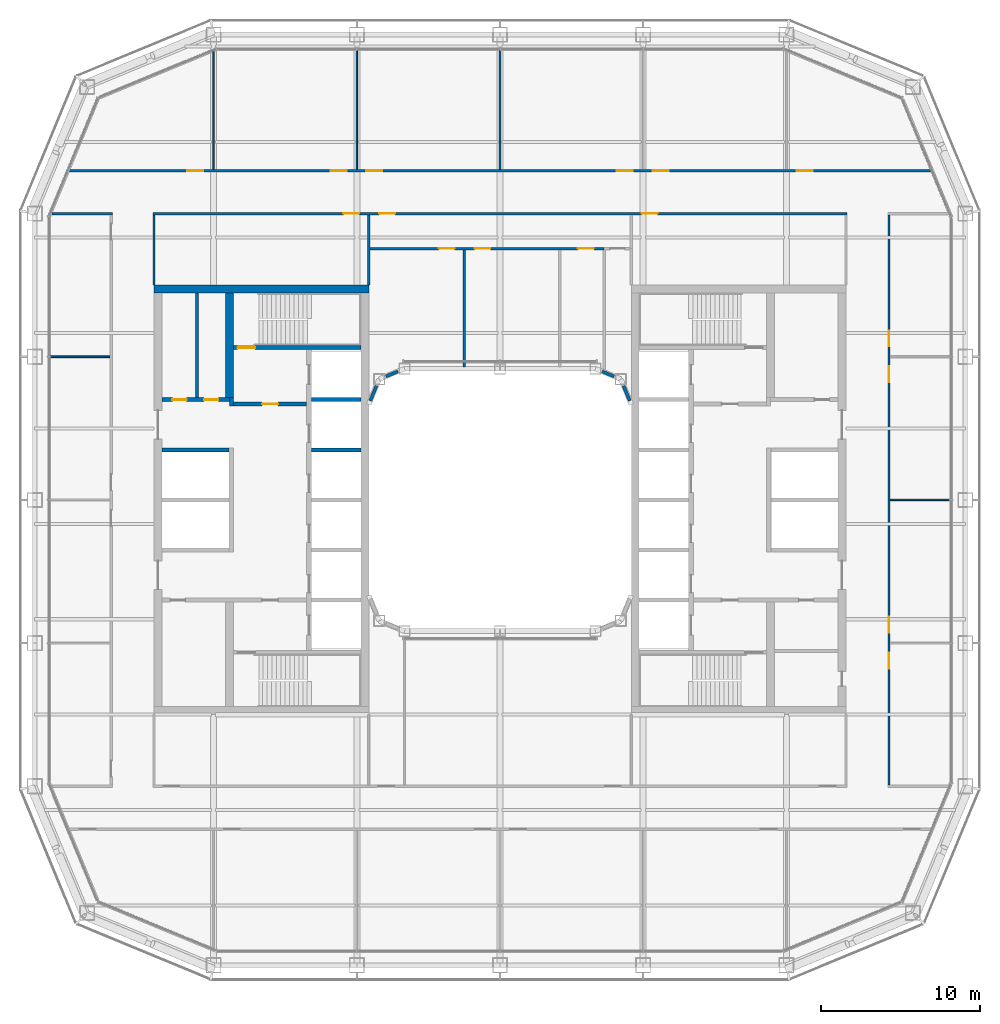
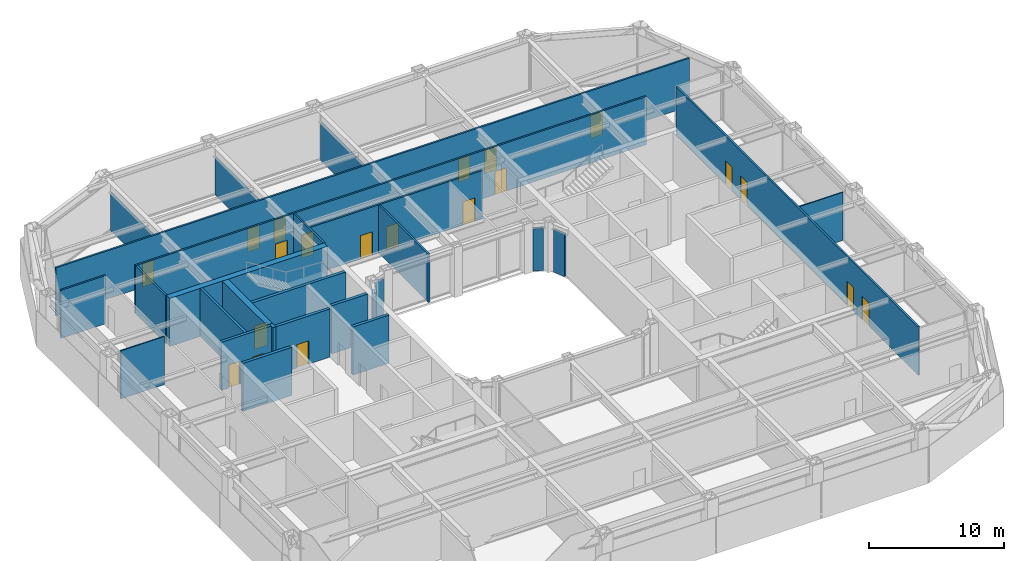
# One storey, part 13 of 21: 27 walls, 20 doors, 20 openings.
"""IFC4 building model written with IfcOpenShell, lengths in metres."""

from ifc_helpers import new_model, si_unit, direction, frame, frame_2d, origin, place, context, subcontext, project, spatial, rectangle, extrude, material, layer, layer_set, type_object, element, fill, save


model = new_model("IFC4")

# Units and contexts
model_context = context("Model", 3, precision=1e-05, world=origin(), true_north=direction((0.0, 1.0)))
body_context = subcontext(model_context, "Body", "Model", "MODEL_VIEW")
ifc_project = project(units=[si_unit("LENGTHUNIT", "METRE"), si_unit("AREAUNIT", "SQUARE_METRE"), si_unit("VOLUMEUNIT", "CUBIC_METRE"), si_unit("PLANEANGLEUNIT", "RADIAN"), si_unit("MASSUNIT", "GRAM", prefix="KILO")], contexts=[model_context])

# Site, building, storey
site_placement = place(None, origin())
site = spatial("IfcSite", under=ifc_project, at=site_placement, CompositionType="ELEMENT")
building_placement = place(site_placement, origin())
building = spatial("IfcBuilding", under=site, at=building_placement, Name="Siwar Civic Tower", CompositionType="ELEMENT")
storey_placement = place(building_placement, frame((0.0, 0.0, 122.699951171875)))
storey = spatial("IfcBuildingStorey", under=building, at=storey_placement, Name="L26", CompositionType="ELEMENT", Elevation=122.699951171875)

# Wall
ifc_material_1 = material(Name="Gypsum board on steel studs", Category="steel")
ifc_layer_1 = layer(ifc_material_1, 0.199951171875)
ifc_layer_set_1 = layer_set([ifc_layer_1], Name="Gypsum board on steel studs")
wall_type_1 = type_object("IfcWallType", Name="CORE-PARTITION-200", PredefinedType="PARTITIONING", material=ifc_layer_set_1)
wall_1_placement = place(storey_placement, frame((-19.050048828125, 6.425048828125, 0.0), z_axis=(0.0, 0.0, 1.0), x_axis=(0.0, 1.0, 0.0)))
element("IfcWall", 1, at=wall_1_placement, inside=storey, type_object=wall_type_1, Name="Core partition W", PredefinedType="PARTITIONING", context=body_context, shape_type="SweptSolid", body=[
    extrude(rectangle(XDim=6.574951171875, YDim=0.199951171875, at=frame_2d((3.28759765625, 0.0))), origin(), (0.0, 0.0, 1.0), 4.35009765625),
])

# Wall, opening, door
ifc_material_2 = material(Name="Concrete C60/75", Category="concrete")
ifc_layer_2 = layer(ifc_material_2, 0.25)
ifc_layer_set_2 = layer_set([ifc_layer_2], Name="Concrete C60/75")
wall_type_2 = type_object("IfcWallType", Name="CORE-WALL-RC250", PredefinedType="SHEAR", material=ifc_layer_set_2)
wall_2_placement = place(storey_placement, frame((-12.14990234375, 6.02490234375, 0.0), z_axis=(0.0, 0.0, 1.0), x_axis=(-1.0, 0.0, 0.0)))
wall_2 = element("IfcWall", 2, at=wall_2_placement, inside=storey, type_object=wall_type_2, Name="Core wall W", PredefinedType="SHEAR", context=body_context, shape_type="SweptSolid", body=[
    extrude(rectangle(XDim=4.60009765625, YDim=0.25, at=frame_2d((2.300048828125, 0.0))), origin(), (0.0, 0.0, 1.0), 4.35009765625),
])
opening_1_placement = place(wall_2_placement, frame((1.800048828125, 0.0, 0.0)))
opening_1 = element("IfcOpeningElement", 3, at=opening_1_placement, cuts=wall_2, Name="Opening L26-CW01", PredefinedType="OPENING", context=body_context, shape_type="SweptSolid", body=[
    extrude(rectangle(XDim=1.0, YDim=2.10009765625, at=frame_2d((0.5, 1.050048828125))), frame((0.0, 0.135009765625, 0.0), z_axis=(0.0, -1.0, 0.0), x_axis=(1.0, 0.0, 0.0)), (0.0, 0.0, 1.0), 0.27001953125),
])
ifc_material_3 = material(Name="Steel door leaf", Category="steel")
door_type_1 = type_object("IfcDoorType", Name="CORE-DOOR-FD30S", OperationType="SINGLE_SWING_LEFT", PredefinedType="DOOR", material=ifc_material_3)
door_1_placement = place(opening_1_placement, origin())
door_1 = element("IfcDoor", 4, at=door_1_placement, inside=storey, type_object=door_type_1, Name="Firefighting lobby door L26-CW01", OperationType="SINGLE_SWING_LEFT", OverallHeight=2.10009765625, OverallWidth=1.0, PredefinedType="DOOR", context=body_context, shape_type="SweptSolid", body=[
    extrude(rectangle(XDim=1.0, YDim=2.10009765625, at=frame_2d((0.5, 1.050048828125))), frame((0.0, 0.02490234375, 0.0), z_axis=(0.0, -1.0, 0.0), x_axis=(1.0, 0.0, 0.0)), (0.0, 0.0, 1.0), 0.050048828125),
])
fill(opening_1, door_1)

# Wall
wall_3_placement = place(storey_placement, frame((-16.875, 5.89990234375, 0.0), z_axis=(0.0, 0.0, 1.0), x_axis=(0.0, 1.0, 0.0)))
element("IfcWall", 5, at=wall_3_placement, inside=storey, type_object=wall_type_2, Name="Core wall W", PredefinedType="SHEAR", context=body_context, shape_type="SweptSolid", body=[
    extrude(rectangle(XDim=0.525146484375, YDim=0.25, at=frame_2d((0.2626953125, 0.0))), origin(), (0.0, 0.0, 1.0), 4.35009765625),
])

# Wall, openings, doors
wall_4_placement = place(storey_placement, frame((-17.0, 6.300048828125, 0.0), z_axis=(0.0, 0.0, 1.0), x_axis=(-1.0, 0.0, 0.0)))
wall_4 = element("IfcWall", 6, at=wall_4_placement, inside=storey, type_object=wall_type_2, Name="Core wall W", PredefinedType="SHEAR", context=body_context, shape_type="SweptSolid", body=[
    extrude(rectangle(XDim=4.25, YDim=0.25, at=frame_2d((2.125, 0.0))), origin(), (0.0, 0.0, 1.0), 4.35009765625),
])
opening_2_placement = place(wall_4_placement, frame((0.699951171875, 0.0, 0.0)))
opening_2 = element("IfcOpeningElement", 7, at=opening_2_placement, cuts=wall_4, Name="Opening L26-CW13", PredefinedType="OPENING", context=body_context, shape_type="SweptSolid", body=[
    extrude(rectangle(XDim=0.89990234375, YDim=2.10009765625, at=frame_2d((0.449951171875, 1.050048828125))), frame((0.0, 0.135009765625, 0.0), z_axis=(0.0, -1.0, 0.0), x_axis=(1.0, 0.0, 0.0)), (0.0, 0.0, 1.0), 0.27001953125),
])
opening_3_placement = place(wall_4_placement, frame((2.699951171875, 0.0, 0.0)))
opening_3 = element("IfcOpeningElement", 8, at=opening_3_placement, cuts=wall_4, Name="Opening L26-CW14", PredefinedType="OPENING", context=body_context, shape_type="SweptSolid", body=[
    extrude(rectangle(XDim=0.89990234375, YDim=2.10009765625, at=frame_2d((0.449951171875, 1.050048828125))), frame((0.0, 0.135009765625, 0.0), z_axis=(0.0, -1.0, 0.0), x_axis=(1.0, 0.0, 0.0)), (0.0, 0.0, 1.0), 0.27001953125),
])
ifc_material_4 = material(Name="Steel door leaf", Category="steel")
door_type_2 = type_object("IfcDoorType", Name="CORE-DOOR-ROOM", OperationType="SINGLE_SWING_LEFT", PredefinedType="DOOR", material=ifc_material_4)
door_2_placement = place(opening_2_placement, origin())
door_2 = element("IfcDoor", 9, at=door_2_placement, inside=storey, type_object=door_type_2, Name="Core room door L26-CW13", OperationType="SINGLE_SWING_RIGHT", OverallHeight=2.10009765625, OverallWidth=0.89990234375, PredefinedType="DOOR", context=body_context, shape_type="SweptSolid", body=[
    extrude(rectangle(XDim=0.89990234375, YDim=2.10009765625, at=frame_2d((0.449951171875, 1.050048828125))), frame((0.0, 0.02490234375, 0.0), z_axis=(0.0, -1.0, 0.0), x_axis=(1.0, 0.0, 0.0)), (0.0, 0.0, 1.0), 0.050048828125),
])
fill(opening_2, door_2)
door_3_placement = place(opening_3_placement, origin())
door_3 = element("IfcDoor", 10, at=door_3_placement, inside=storey, type_object=door_type_2, Name="Core room door L26-CW14", OperationType="SINGLE_SWING_LEFT", OverallHeight=2.10009765625, OverallWidth=0.89990234375, PredefinedType="DOOR", context=body_context, shape_type="SweptSolid", body=[
    extrude(rectangle(XDim=0.89990234375, YDim=2.10009765625, at=frame_2d((0.449951171875, 1.050048828125))), frame((0.0, 0.02490234375, 0.0), z_axis=(0.0, -1.0, 0.0), x_axis=(1.0, 0.0, 0.0)), (0.0, 0.0, 1.0), 0.050048828125),
])
fill(opening_3, door_3)

# Walls
wall_5_placement = place(storey_placement, frame((-17.050048828125, 3.14990234375, 0.0), z_axis=(0.0, 0.0, 1.0), x_axis=(-1.0, 0.0, 0.0)))
element("IfcWall", 11, at=wall_5_placement, inside=storey, type_object=wall_type_2, Name="Core wall W", PredefinedType="SHEAR", context=body_context, shape_type="SweptSolid", body=[
    extrude(rectangle(XDim=4.199951171875, YDim=0.25, at=frame_2d((2.10009765625, 0.0))), origin(), (0.0, 0.0, 1.0), 4.35009765625),
])
for number, where, z_axis, x_axis, name in (
    (12, (-8.75, 3.14990234375, 0.0), (0.0, 0.0, 1.0), (-1.0, 0.0, 0.0), "Core wall W"),
    (13, (-8.75, 6.300048828125, 0.0), (0.0, 0.0, 1.0), (-1.0, 0.0, 0.0), "Core wall W"),
):
    element("IfcWall", number, at=place(storey_placement, frame(where, z_axis=z_axis, x_axis=x_axis)), inside=storey, type_object=wall_type_2, Name=name, PredefinedType="SHEAR", context=body_context, shape_type="SweptSolid", body=[
        extrude(rectangle(XDim=3.10009765625, YDim=0.25, at=frame_2d((1.550048828125, 0.0))), origin(), (0.0, 0.0, 1.0), 4.35009765625),
    ])

# Wall, opening, door
wall_6_placement = place(storey_placement, frame((-8.75, 9.574951171875, 0.0), z_axis=(0.0, 0.0, 1.0), x_axis=(-1.0, 0.0, 0.0)))
wall_6 = element("IfcWall", 14, at=wall_6_placement, inside=storey, type_object=wall_type_2, Name="Core wall W", PredefinedType="SHEAR", context=body_context, shape_type="SweptSolid", body=[
    extrude(rectangle(XDim=8.0, YDim=0.25, at=frame_2d((4.0, 0.0))), origin(), (0.0, 0.0, 1.0), 4.35009765625),
])
opening_4_placement = place(wall_6_placement, frame((6.64990234375, 0.0, 0.0)))
opening_4 = element("IfcOpeningElement", 15, at=opening_4_placement, cuts=wall_6, Name="Opening L26-CW03", PredefinedType="OPENING", context=body_context, shape_type="SweptSolid", body=[
    extrude(rectangle(XDim=1.10009765625, YDim=2.10009765625, at=frame_2d((0.550048828125, 1.050048828125))), frame((0.0, 0.135009765625, 0.0), z_axis=(0.0, -1.0, 0.0), x_axis=(1.0, 0.0, 0.0)), (0.0, 0.0, 1.0), 0.27001953125),
])
ifc_material_5 = material(Name="Steel door leaf", Category="steel")
door_type_3 = type_object("IfcDoorType", Name="CORE-DOOR-FD60S", OperationType="SINGLE_SWING_LEFT", PredefinedType="DOOR", material=ifc_material_5)
door_4_placement = place(opening_4_placement, origin())
door_4 = element("IfcDoor", 16, at=door_4_placement, inside=storey, type_object=door_type_3, Name="Stair door L26-CW03", OperationType="SINGLE_SWING_RIGHT", OverallHeight=2.10009765625, OverallWidth=1.10009765625, PredefinedType="DOOR", context=body_context, shape_type="SweptSolid", body=[
    extrude(rectangle(XDim=1.10009765625, YDim=2.10009765625, at=frame_2d((0.550048828125, 1.050048828125))), frame((0.0, 0.02490234375, 0.0), z_axis=(0.0, -1.0, 0.0), x_axis=(1.0, 0.0, 0.0)), (0.0, 0.0, 1.0), 0.050048828125),
])
fill(opening_4, door_4)

# Walls
ifc_material_6 = material(Name="Concrete C60/75", Category="concrete")
ifc_layer_3 = layer(ifc_material_6, 0.5)
ifc_layer_set_3 = layer_set([ifc_layer_3], Name="Concrete C60/75")
wall_type_3 = type_object("IfcWallType", Name="CORE-WALL-RC500", PredefinedType="SHEAR", material=ifc_layer_set_3)
wall_7_placement = place(storey_placement, frame((-17.0, 6.425048828125, 0.0), z_axis=(0.0, 0.0, 1.0), x_axis=(0.0, 1.0, 0.0)))
element("IfcWall", 17, at=wall_7_placement, inside=storey, type_object=wall_type_3, Name="Core wall W", PredefinedType="SHEAR", context=body_context, shape_type="SweptSolid", body=[
    extrude(rectangle(XDim=6.574951171875, YDim=0.5, at=frame_2d((3.28759765625, 0.0))), origin(), (0.0, 0.0, 1.0), 4.35009765625),
])
wall_8_placement = place(storey_placement, frame((-8.25, 13.25, 0.0), z_axis=(0.0, 0.0, 1.0), x_axis=(-1.0, 0.0, 0.0)))
element("IfcWall", 18, at=wall_8_placement, inside=storey, type_object=wall_type_3, Name="Core wall W", PredefinedType="SHEAR", context=body_context, shape_type="SweptSolid", body=[
    extrude(rectangle(XDim=13.5, YDim=0.5, at=frame_2d((6.75, 0.0))), origin(), (0.0, 0.0, 1.0), 4.35009765625),
])

# Wall, openings, doors
ifc_material_7 = material(Name="Gypsum board on steel studs", Category="steel")
ifc_layer_4 = layer(ifc_material_7, 0.14990234375)
ifc_layer_set_4 = layer_set([ifc_layer_4], Name="Gypsum board on steel studs")
wall_type_4 = type_object("IfcWallType", Name="CORRIDOR PARTITION 150 EI 30", PredefinedType="PARTITIONING", material=ifc_layer_set_4)
wall_9_placement = place(storey_placement, frame((-8.175048828125, 15.800048828125, 0.0), z_axis=(0.0, 0.0, 1.0), x_axis=(1.0, 0.0, 0.0)))
wall_9 = element("IfcWall", 19, at=wall_9_placement, inside=storey, type_object=wall_type_4, Name="L26/wall/P11", PredefinedType="PARTITIONING", context=body_context, shape_type="SweptSolid", body=[
    extrude(rectangle(XDim=14.715087890625, YDim=0.14990234375, at=frame_2d((7.357421875, 0.0))), origin(), (0.0, 0.0, 1.0), 4.35009765625),
])
opening_5_placement = place(wall_9_placement, frame((4.324951171875, 0.0, 0.0)))
opening_5 = element("IfcOpeningElement", 20, at=opening_5_placement, cuts=wall_9, Name="Opening D3", PredefinedType="OPENING", context=body_context, shape_type="SweptSolid", body=[
    extrude(rectangle(XDim=1.0, YDim=2.10009765625, at=frame_2d((0.5, 1.050048828125))), frame((0.0, 0.0849609375, 0.0), z_axis=(0.0, -1.0, 0.0), x_axis=(1.0, 0.0, 0.0)), (0.0, 0.0, 1.0), 0.169921875),
])
opening_6_placement = place(wall_9_placement, frame((6.574951171875, 0.0, 0.0)))
opening_6 = element("IfcOpeningElement", 21, at=opening_6_placement, cuts=wall_9, Name="Opening D3", PredefinedType="OPENING", context=body_context, shape_type="SweptSolid", body=[
    extrude(rectangle(XDim=1.0, YDim=2.10009765625, at=frame_2d((0.5, 1.050048828125))), frame((0.0, 0.0849609375, 0.0), z_axis=(0.0, -1.0, 0.0), x_axis=(1.0, 0.0, 0.0)), (0.0, 0.0, 1.0), 0.169921875),
])
opening_7_placement = place(wall_9_placement, frame((13.074951171875, 0.0, 0.0)))
opening_7 = element("IfcOpeningElement", 22, at=opening_7_placement, cuts=wall_9, Name="Opening D3", PredefinedType="OPENING", context=body_context, shape_type="SweptSolid", body=[
    extrude(rectangle(XDim=1.0, YDim=2.10009765625, at=frame_2d((0.5, 1.050048828125))), frame((0.0, 0.0849609375, 0.0), z_axis=(0.0, -1.0, 0.0), x_axis=(1.0, 0.0, 0.0)), (0.0, 0.0, 1.0), 0.169921875),
])
ifc_material_8 = material(Name="Timber, painted", Category="wood")
door_type_4 = type_object("IfcDoorType", Name="DOOR 1000 X 2100 WC", OperationType="SINGLE_SWING_LEFT", PredefinedType="DOOR", material=ifc_material_8)
door_5_placement = place(opening_5_placement, origin())
door_5 = element("IfcDoor", 23, at=door_5_placement, inside=storey, type_object=door_type_4, Name="L26-D14", OperationType="SINGLE_SWING_RIGHT", OverallHeight=2.10009765625, OverallWidth=1.0, PredefinedType="DOOR", context=body_context, shape_type="SweptSolid", body=[
    extrude(rectangle(XDim=1.0, YDim=2.10009765625, at=frame_2d((0.5, 1.050048828125))), frame((0.0, 0.02490234375, 0.0), z_axis=(0.0, -1.0, 0.0), x_axis=(1.0, 0.0, 0.0)), (0.0, 0.0, 1.0), 0.050048828125),
])
fill(opening_5, door_5)
door_6_placement = place(opening_6_placement, origin())
door_6 = element("IfcDoor", 24, at=door_6_placement, inside=storey, type_object=door_type_4, Name="L26-D15", OperationType="SINGLE_SWING_LEFT", OverallHeight=2.10009765625, OverallWidth=1.0, PredefinedType="DOOR", context=body_context, shape_type="SweptSolid", body=[
    extrude(rectangle(XDim=1.0, YDim=2.10009765625, at=frame_2d((0.5, 1.050048828125))), frame((0.0, 0.02490234375, 0.0), z_axis=(0.0, -1.0, 0.0), x_axis=(1.0, 0.0, 0.0)), (0.0, 0.0, 1.0), 0.050048828125),
])
fill(opening_6, door_6)
door_7_placement = place(opening_7_placement, origin())
door_7 = element("IfcDoor", 25, at=door_7_placement, inside=storey, type_object=door_type_4, Name="L26-D16", OperationType="SINGLE_SWING_RIGHT", OverallHeight=2.10009765625, OverallWidth=1.0, PredefinedType="DOOR", context=body_context, shape_type="SweptSolid", body=[
    extrude(rectangle(XDim=1.0, YDim=2.10009765625, at=frame_2d((0.5, 1.050048828125))), frame((0.0, 0.02490234375, 0.0), z_axis=(0.0, -1.0, 0.0), x_axis=(1.0, 0.0, 0.0)), (0.0, 0.0, 1.0), 0.050048828125),
])
fill(opening_7, door_7)

# Wall
wall_10_placement = place(storey_placement, frame((-28.177978515625, 18.0, 0.0), z_axis=(0.0, 0.0, 1.0), x_axis=(1.0, 0.0, 0.0)))
element("IfcWall", 26, at=wall_10_placement, inside=storey, type_object=wall_type_4, Name="L26/wall/P13", PredefinedType="PARTITIONING", context=body_context, shape_type="SweptSolid", body=[
    extrude(rectangle(XDim=3.802978515625, YDim=0.14990234375, at=frame_2d((1.9013671875, 0.0))), origin(), (0.0, 0.0, 1.0), 4.35009765625),
])

# Wall, openings, doors
wall_11_placement = place(storey_placement, frame((-21.824951171875, 18.0, 0.0), z_axis=(0.0, 0.0, 1.0), x_axis=(1.0, 0.0, 0.0)))
wall_11 = element("IfcWall", 27, at=wall_11_placement, inside=storey, type_object=wall_type_4, Name="L26/wall/P14", PredefinedType="PARTITIONING", context=body_context, shape_type="SweptSolid", body=[
    extrude(rectangle(XDim=43.64990234375, YDim=0.14990234375, at=frame_2d((21.824951171875, 0.0))), origin(), (0.0, 0.0, 1.0), 4.35009765625),
])
opening_8_placement = place(wall_11_placement, frame((14.22509765625, 0.0, 0.0)))
opening_8 = element("IfcOpeningElement", 28, at=opening_8_placement, cuts=wall_11, Name="Opening D1", PredefinedType="OPENING", context=body_context, shape_type="SweptSolid", body=[
    extrude(rectangle(XDim=1.0, YDim=2.10009765625, at=frame_2d((0.5, 1.050048828125))), frame((0.0, 0.0849609375, 0.0), z_axis=(0.0, -1.0, 0.0), x_axis=(1.0, 0.0, 0.0)), (0.0, 0.0, 1.0), 0.169921875),
])
opening_9_placement = place(wall_11_placement, frame((11.97509765625, 0.0, 0.0)))
opening_9 = element("IfcOpeningElement", 29, at=opening_9_placement, cuts=wall_11, Name="Opening D1", PredefinedType="OPENING", context=body_context, shape_type="SweptSolid", body=[
    extrude(rectangle(XDim=1.0, YDim=2.10009765625, at=frame_2d((0.5, 1.050048828125))), frame((0.0, 0.0849609375, 0.0), z_axis=(0.0, -1.0, 0.0), x_axis=(1.0, 0.0, 0.0)), (0.0, 0.0, 1.0), 0.169921875),
])
opening_10_placement = place(wall_11_placement, frame((30.72509765625, 0.0, 0.0)))
opening_10 = element("IfcOpeningElement", 30, at=opening_10_placement, cuts=wall_11, Name="Opening D1", PredefinedType="OPENING", context=body_context, shape_type="SweptSolid", body=[
    extrude(rectangle(XDim=1.0, YDim=2.10009765625, at=frame_2d((0.5, 1.050048828125))), frame((0.0, 0.0849609375, 0.0), z_axis=(0.0, -1.0, 0.0), x_axis=(1.0, 0.0, 0.0)), (0.0, 0.0, 1.0), 0.169921875),
])
ifc_material_9 = material(Name="Timber, painted", Category="wood")
door_type_5 = type_object("IfcDoorType", Name="DOOR 1000 X 2100 FD30", OperationType="SINGLE_SWING_LEFT", PredefinedType="DOOR", material=ifc_material_9)
door_8_placement = place(opening_8_placement, origin())
door_8 = element("IfcDoor", 31, at=door_8_placement, inside=storey, type_object=door_type_5, Name="L26-D13", OperationType="SINGLE_SWING_LEFT", OverallHeight=2.10009765625, OverallWidth=1.0, PredefinedType="DOOR", context=body_context, shape_type="SweptSolid", body=[
    extrude(rectangle(XDim=1.0, YDim=2.10009765625, at=frame_2d((0.5, 1.050048828125))), frame((0.0, 0.02490234375, 0.0), z_axis=(0.0, -1.0, 0.0), x_axis=(1.0, 0.0, 0.0)), (0.0, 0.0, 1.0), 0.050048828125),
])
fill(opening_8, door_8)
door_9_placement = place(opening_9_placement, origin())
door_9 = element("IfcDoor", 32, at=door_9_placement, inside=storey, type_object=door_type_5, Name="L26-D20", OperationType="SINGLE_SWING_RIGHT", OverallHeight=2.10009765625, OverallWidth=1.0, PredefinedType="DOOR", context=body_context, shape_type="SweptSolid", body=[
    extrude(rectangle(XDim=1.0, YDim=2.10009765625, at=frame_2d((0.5, 1.050048828125))), frame((0.0, 0.02490234375, 0.0), z_axis=(0.0, -1.0, 0.0), x_axis=(1.0, 0.0, 0.0)), (0.0, 0.0, 1.0), 0.050048828125),
])
fill(opening_9, door_9)
door_10_placement = place(opening_10_placement, origin())
door_10 = element("IfcDoor", 33, at=door_10_placement, inside=storey, type_object=door_type_5, Name="L26-D21", OperationType="SINGLE_SWING_LEFT", OverallHeight=2.10009765625, OverallWidth=1.0, PredefinedType="DOOR", context=body_context, shape_type="SweptSolid", body=[
    extrude(rectangle(XDim=1.0, YDim=2.10009765625, at=frame_2d((0.5, 1.050048828125))), frame((0.0, 0.02490234375, 0.0), z_axis=(0.0, -1.0, 0.0), x_axis=(1.0, 0.0, 0.0)), (0.0, 0.0, 1.0), 0.050048828125),
])
fill(opening_10, door_10)

wall_12_placement = place(storey_placement, frame((-27.06005859375, 20.699951171875, 0.0), z_axis=(0.0, 0.0, 1.0), x_axis=(1.0, 0.0, 0.0)))
wall_12 = element("IfcWall", 34, at=wall_12_placement, inside=storey, type_object=wall_type_4, Name="L26/wall/P16", PredefinedType="PARTITIONING", context=body_context, shape_type="SweptSolid", body=[
    extrude(rectangle(XDim=54.1201171875, YDim=0.14990234375, at=frame_2d((27.06005859375, 0.0))), origin(), (0.0, 0.0, 1.0), 4.35009765625),
])
opening_11_placement = place(wall_12_placement, frame((16.409912109375, 0.0, 0.0)))
opening_11 = element("IfcOpeningElement", 35, at=opening_11_placement, cuts=wall_12, Name="Opening D1", PredefinedType="OPENING", context=body_context, shape_type="SweptSolid", body=[
    extrude(rectangle(XDim=1.0, YDim=2.10009765625, at=frame_2d((0.5, 1.050048828125))), frame((0.0, 0.0849609375, 0.0), z_axis=(0.0, -1.0, 0.0), x_axis=(1.0, 0.0, 0.0)), (0.0, 0.0, 1.0), 0.169921875),
])
opening_12_placement = place(wall_12_placement, frame((18.659912109375, 0.0, 0.0)))
opening_12 = element("IfcOpeningElement", 36, at=opening_12_placement, cuts=wall_12, Name="Opening D1", PredefinedType="OPENING", context=body_context, shape_type="SweptSolid", body=[
    extrude(rectangle(XDim=1.0, YDim=2.10009765625, at=frame_2d((0.5, 1.050048828125))), frame((0.0, 0.0849609375, 0.0), z_axis=(0.0, -1.0, 0.0), x_axis=(1.0, 0.0, 0.0)), (0.0, 0.0, 1.0), 0.169921875),
])
opening_13_placement = place(wall_12_placement, frame((34.409912109375, 0.0, 0.0)))
opening_13 = element("IfcOpeningElement", 37, at=opening_13_placement, cuts=wall_12, Name="Opening D1", PredefinedType="OPENING", context=body_context, shape_type="SweptSolid", body=[
    extrude(rectangle(XDim=1.0, YDim=2.10009765625, at=frame_2d((0.5, 1.050048828125))), frame((0.0, 0.0849609375, 0.0), z_axis=(0.0, -1.0, 0.0), x_axis=(1.0, 0.0, 0.0)), (0.0, 0.0, 1.0), 0.169921875),
])
opening_14_placement = place(wall_12_placement, frame((36.659912109375, 0.0, 0.0)))
opening_14 = element("IfcOpeningElement", 38, at=opening_14_placement, cuts=wall_12, Name="Opening D1", PredefinedType="OPENING", context=body_context, shape_type="SweptSolid", body=[
    extrude(rectangle(XDim=1.0, YDim=2.10009765625, at=frame_2d((0.5, 1.050048828125))), frame((0.0, 0.0849609375, 0.0), z_axis=(0.0, -1.0, 0.0), x_axis=(1.0, 0.0, 0.0)), (0.0, 0.0, 1.0), 0.169921875),
])
opening_15_placement = place(wall_12_placement, frame((7.409912109375, 0.0, 0.0)))
opening_15 = element("IfcOpeningElement", 39, at=opening_15_placement, cuts=wall_12, Name="Opening D1", PredefinedType="OPENING", context=body_context, shape_type="SweptSolid", body=[
    extrude(rectangle(XDim=1.0, YDim=2.10009765625, at=frame_2d((0.5, 1.050048828125))), frame((0.0, 0.0849609375, 0.0), z_axis=(0.0, -1.0, 0.0), x_axis=(1.0, 0.0, 0.0)), (0.0, 0.0, 1.0), 0.169921875),
])
opening_16_placement = place(wall_12_placement, frame((45.719970703125, 0.0, 0.0)))
opening_16 = element("IfcOpeningElement", 40, at=opening_16_placement, cuts=wall_12, Name="Opening D1", PredefinedType="OPENING", context=body_context, shape_type="SweptSolid", body=[
    extrude(rectangle(XDim=1.0, YDim=2.10009765625, at=frame_2d((0.5, 1.050048828125))), frame((0.0, 0.0849609375, 0.0), z_axis=(0.0, -1.0, 0.0), x_axis=(1.0, 0.0, 0.0)), (0.0, 0.0, 1.0), 0.169921875),
])
door_11_placement = place(opening_11_placement, origin())
door_11 = element("IfcDoor", 41, at=door_11_placement, inside=storey, type_object=door_type_5, Name="L26-D01", OperationType="SINGLE_SWING_LEFT", OverallHeight=2.10009765625, OverallWidth=1.0, PredefinedType="DOOR", context=body_context, shape_type="SweptSolid", body=[
    extrude(rectangle(XDim=1.0, YDim=2.10009765625, at=frame_2d((0.5, 1.050048828125))), frame((0.0, 0.02490234375, 0.0), z_axis=(0.0, -1.0, 0.0), x_axis=(1.0, 0.0, 0.0)), (0.0, 0.0, 1.0), 0.050048828125),
])
fill(opening_11, door_11)
door_12_placement = place(opening_12_placement, origin())
door_12 = element("IfcDoor", 42, at=door_12_placement, inside=storey, type_object=door_type_5, Name="L26-D02", OperationType="SINGLE_SWING_RIGHT", OverallHeight=2.10009765625, OverallWidth=1.0, PredefinedType="DOOR", context=body_context, shape_type="SweptSolid", body=[
    extrude(rectangle(XDim=1.0, YDim=2.10009765625, at=frame_2d((0.5, 1.050048828125))), frame((0.0, 0.02490234375, 0.0), z_axis=(0.0, -1.0, 0.0), x_axis=(1.0, 0.0, 0.0)), (0.0, 0.0, 1.0), 0.050048828125),
])
fill(opening_12, door_12)
door_13_placement = place(opening_13_placement, origin())
door_13 = element("IfcDoor", 43, at=door_13_placement, inside=storey, type_object=door_type_5, Name="L26-D03", OperationType="SINGLE_SWING_LEFT", OverallHeight=2.10009765625, OverallWidth=1.0, PredefinedType="DOOR", context=body_context, shape_type="SweptSolid", body=[
    extrude(rectangle(XDim=1.0, YDim=2.10009765625, at=frame_2d((0.5, 1.050048828125))), frame((0.0, 0.02490234375, 0.0), z_axis=(0.0, -1.0, 0.0), x_axis=(1.0, 0.0, 0.0)), (0.0, 0.0, 1.0), 0.050048828125),
])
fill(opening_13, door_13)
door_14_placement = place(opening_14_placement, origin())
door_14 = element("IfcDoor", 44, at=door_14_placement, inside=storey, type_object=door_type_5, Name="L26-D04", OperationType="SINGLE_SWING_RIGHT", OverallHeight=2.10009765625, OverallWidth=1.0, PredefinedType="DOOR", context=body_context, shape_type="SweptSolid", body=[
    extrude(rectangle(XDim=1.0, YDim=2.10009765625, at=frame_2d((0.5, 1.050048828125))), frame((0.0, 0.02490234375, 0.0), z_axis=(0.0, -1.0, 0.0), x_axis=(1.0, 0.0, 0.0)), (0.0, 0.0, 1.0), 0.050048828125),
])
fill(opening_14, door_14)
door_15_placement = place(opening_15_placement, origin())
door_15 = element("IfcDoor", 45, at=door_15_placement, inside=storey, type_object=door_type_5, Name="L26-D09", OperationType="SINGLE_SWING_LEFT", OverallHeight=2.10009765625, OverallWidth=1.0, PredefinedType="DOOR", context=body_context, shape_type="SweptSolid", body=[
    extrude(rectangle(XDim=1.0, YDim=2.10009765625, at=frame_2d((0.5, 1.050048828125))), frame((0.0, 0.02490234375, 0.0), z_axis=(0.0, -1.0, 0.0), x_axis=(1.0, 0.0, 0.0)), (0.0, 0.0, 1.0), 0.050048828125),
])
fill(opening_15, door_15)
door_16_placement = place(opening_16_placement, origin())
door_16 = element("IfcDoor", 46, at=door_16_placement, inside=storey, type_object=door_type_5, Name="L26-D10", OperationType="SINGLE_SWING_RIGHT", OverallHeight=2.10009765625, OverallWidth=1.0, PredefinedType="DOOR", context=body_context, shape_type="SweptSolid", body=[
    extrude(rectangle(XDim=1.0, YDim=2.10009765625, at=frame_2d((0.5, 1.050048828125))), frame((0.0, 0.02490234375, 0.0), z_axis=(0.0, -1.0, 0.0), x_axis=(1.0, 0.0, 0.0)), (0.0, 0.0, 1.0), 0.050048828125),
])
fill(opening_16, door_16)

# Walls
for number, where, z_axis, x_axis, name in (
    (47, (-21.75, 13.5, 0.0), (0.0, 0.0, 1.0), (0.0, 1.0, 0.0), "L26/wall/P19"),
    (48, (-8.25, 13.5, 0.0), (0.0, 0.0, 1.0), (0.0, 1.0, 0.0), "L26/wall/P25"),
):
    element("IfcWall", number, at=place(storey_placement, frame(where, z_axis=z_axis, x_axis=x_axis)), inside=storey, type_object=wall_type_4, Name=name, PredefinedType="PARTITIONING", context=body_context, shape_type="SweptSolid", body=[
        extrude(rectangle(XDim=4.425048828125, YDim=0.14990234375, at=frame_2d((2.21240234375, 0.0))), origin(), (0.0, 0.0, 1.0), 4.35009765625),
    ])
wall_13_placement = place(storey_placement, frame((-2.25, 8.3701171875, 0.0), z_axis=(0.0, 0.0, 1.0), x_axis=(0.0, 1.0, 0.0)))
element("IfcWall", 49, at=wall_13_placement, inside=storey, type_object=wall_type_4, Name="L26/wall/P27", PredefinedType="PARTITIONING", context=body_context, shape_type="SweptSolid", body=[
    extrude(rectangle(XDim=7.35498046875, YDim=0.14990234375, at=frame_2d((3.677490234375, 0.0))), origin(), (0.0, 0.0, 1.0), 4.35009765625),
])

# Wall, openings, doors
wall_14_placement = place(storey_placement, frame((24.449951171875, -17.925048828125, 0.0), z_axis=(0.0, 0.0, 1.0), x_axis=(0.0, 1.0, 0.0)))
wall_14 = element("IfcWall", 50, at=wall_14_placement, inside=storey, type_object=wall_type_4, Name="L26/wall/P41", PredefinedType="PARTITIONING", context=body_context, shape_type="SweptSolid", body=[
    extrude(rectangle(XDim=35.85009765625, YDim=0.14990234375, at=frame_2d((17.925048828125, 0.0))), origin(), (0.0, 0.0, 1.0), 4.35009765625),
])
opening_17_placement = place(wall_14_placement, frame((7.324951171875, 0.0, 0.0)))
opening_17 = element("IfcOpeningElement", 51, at=opening_17_placement, cuts=wall_14, Name="Opening D1", PredefinedType="OPENING", context=body_context, shape_type="SweptSolid", body=[
    extrude(rectangle(XDim=1.0, YDim=2.10009765625, at=frame_2d((0.5, 1.050048828125))), frame((0.0, 0.0849609375, 0.0), z_axis=(0.0, -1.0, 0.0), x_axis=(1.0, 0.0, 0.0)), (0.0, 0.0, 1.0), 0.169921875),
])
opening_18_placement = place(wall_14_placement, frame((9.574951171875, 0.0, 0.0)))
opening_18 = element("IfcOpeningElement", 52, at=opening_18_placement, cuts=wall_14, Name="Opening D1", PredefinedType="OPENING", context=body_context, shape_type="SweptSolid", body=[
    extrude(rectangle(XDim=1.0, YDim=2.10009765625, at=frame_2d((0.5, 1.050048828125))), frame((0.0, 0.0849609375, 0.0), z_axis=(0.0, -1.0, 0.0), x_axis=(1.0, 0.0, 0.0)), (0.0, 0.0, 1.0), 0.169921875),
])
opening_19_placement = place(wall_14_placement, frame((25.324951171875, 0.0, 0.0)))
opening_19 = element("IfcOpeningElement", 53, at=opening_19_placement, cuts=wall_14, Name="Opening D1", PredefinedType="OPENING", context=body_context, shape_type="SweptSolid", body=[
    extrude(rectangle(XDim=1.0, YDim=2.10009765625, at=frame_2d((0.5, 1.050048828125))), frame((0.0, 0.0849609375, 0.0), z_axis=(0.0, -1.0, 0.0), x_axis=(1.0, 0.0, 0.0)), (0.0, 0.0, 1.0), 0.169921875),
])
opening_20_placement = place(wall_14_placement, frame((27.574951171875, 0.0, 0.0)))
opening_20 = element("IfcOpeningElement", 54, at=opening_20_placement, cuts=wall_14, Name="Opening D1", PredefinedType="OPENING", context=body_context, shape_type="SweptSolid", body=[
    extrude(rectangle(XDim=1.0, YDim=2.10009765625, at=frame_2d((0.5, 1.050048828125))), frame((0.0, 0.0849609375, 0.0), z_axis=(0.0, -1.0, 0.0), x_axis=(1.0, 0.0, 0.0)), (0.0, 0.0, 1.0), 0.169921875),
])
door_17_placement = place(opening_17_placement, origin())
door_17 = element("IfcDoor", 55, at=door_17_placement, inside=storey, type_object=door_type_5, Name="L26-D28", OperationType="SINGLE_SWING_RIGHT", OverallHeight=2.10009765625, OverallWidth=1.0, PredefinedType="DOOR", context=body_context, shape_type="SweptSolid", body=[
    extrude(rectangle(XDim=1.0, YDim=2.10009765625, at=frame_2d((0.5, 1.050048828125))), frame((0.0, 0.02490234375, 0.0), z_axis=(0.0, -1.0, 0.0), x_axis=(1.0, 0.0, 0.0)), (0.0, 0.0, 1.0), 0.050048828125),
])
fill(opening_17, door_17)
door_18_placement = place(opening_18_placement, origin())
door_18 = element("IfcDoor", 56, at=door_18_placement, inside=storey, type_object=door_type_5, Name="L26-D29", OperationType="SINGLE_SWING_LEFT", OverallHeight=2.10009765625, OverallWidth=1.0, PredefinedType="DOOR", context=body_context, shape_type="SweptSolid", body=[
    extrude(rectangle(XDim=1.0, YDim=2.10009765625, at=frame_2d((0.5, 1.050048828125))), frame((0.0, 0.02490234375, 0.0), z_axis=(0.0, -1.0, 0.0), x_axis=(1.0, 0.0, 0.0)), (0.0, 0.0, 1.0), 0.050048828125),
])
fill(opening_18, door_18)
door_19_placement = place(opening_19_placement, origin())
door_19 = element("IfcDoor", 57, at=door_19_placement, inside=storey, type_object=door_type_5, Name="L26-D30", OperationType="SINGLE_SWING_RIGHT", OverallHeight=2.10009765625, OverallWidth=1.0, PredefinedType="DOOR", context=body_context, shape_type="SweptSolid", body=[
    extrude(rectangle(XDim=1.0, YDim=2.10009765625, at=frame_2d((0.5, 1.050048828125))), frame((0.0, 0.02490234375, 0.0), z_axis=(0.0, -1.0, 0.0), x_axis=(1.0, 0.0, 0.0)), (0.0, 0.0, 1.0), 0.050048828125),
])
fill(opening_19, door_19)
door_20_placement = place(opening_20_placement, origin())
door_20 = element("IfcDoor", 58, at=door_20_placement, inside=storey, type_object=door_type_5, Name="L26-D31", OperationType="SINGLE_SWING_LEFT", OverallHeight=2.10009765625, OverallWidth=1.0, PredefinedType="DOOR", context=body_context, shape_type="SweptSolid", body=[
    extrude(rectangle(XDim=1.0, YDim=2.10009765625, at=frame_2d((0.5, 1.050048828125))), frame((0.0, 0.02490234375, 0.0), z_axis=(0.0, -1.0, 0.0), x_axis=(1.0, 0.0, 0.0)), (0.0, 0.0, 1.0), 0.050048828125),
])
fill(opening_20, door_20)

# Walls
ifc_material_10 = material(Name="Aluminium clad insulated panel", Category="aluminium")
ifc_layer_5 = layer(ifc_material_10, 0.199951171875)
ifc_layer_set_5 = layer_set([ifc_layer_5], Name="Aluminium clad insulated panel")
wall_type_5 = type_object("IfcWallType", Name="ENV-WALL-WELL", PredefinedType="STANDARD", material=ifc_layer_set_5)
wall_15_placement = place(storey_placement, frame((8.154296875, 6.23095703125, 0.0), z_axis=(0.0, 0.0, 1.0), x_axis=(-0.382769662028, 0.923843810301, 0.0)))
element("IfcWall", 59, at=wall_15_placement, inside=storey, type_object=wall_type_5, Name="Light well corner wall NE1", PredefinedType="STANDARD", context=body_context, shape_type="SweptSolid", body=[
    extrude(rectangle(XDim=1.014892578125, YDim=0.199951171875, at=frame_2d((0.50732421875, 0.0))), origin(), (0.0, 0.0, 1.0), 3.825927734375),
])
for number, where, z_axis, x_axis, name in (
    (60, (7.16845703125, 7.765869140625, 0.0), (0.0, 0.0, 1.0), (-0.923817771127, 0.382832503518, 0.0), "Light well corner wall NE2"),
    (61, (-6.422607421875, 8.074951171875, 0.0), (0.0, 0.0, 1.0), (-0.923817771127, -0.382832503518, 0.0), "Light well corner wall NW1"),
):
    element("IfcWall", number, at=place(storey_placement, frame(where, z_axis=z_axis, x_axis=x_axis)), inside=storey, type_object=wall_type_5, Name=name, PredefinedType="STANDARD", context=body_context, shape_type="SweptSolid", body=[
        extrude(rectangle(XDim=0.807373046875, YDim=0.199951171875, at=frame_2d((0.40380859375, 0.0))), origin(), (0.0, 0.0, 1.0), 3.825927734375),
    ])
wall_16_placement = place(storey_placement, frame((-7.765869140625, 7.16845703125, 0.0), z_axis=(0.0, 0.0, 1.0), x_axis=(-0.382769662028, -0.923843810301, 0.0)))
element("IfcWall", 62, at=wall_16_placement, inside=storey, type_object=wall_type_5, Name="Light well corner wall NW2", PredefinedType="STANDARD", context=body_context, shape_type="SweptSolid", body=[
    extrude(rectangle(XDim=1.014892578125, YDim=0.199951171875, at=frame_2d((0.50732421875, 0.0))), origin(), (0.0, 0.0, 1.0), 3.825927734375),
])
ifc_material_11 = material(Name="Gypsum board on steel studs", Category="steel")
ifc_layer_6 = layer(ifc_material_11, 0.10009765625)
ifc_layer_set_6 = layer_set([ifc_layer_6], Name="Gypsum board on steel studs")
wall_type_6 = type_object("IfcWallType", Name="PARTITION 100 GYPSUM", PredefinedType="PARTITIONING", material=ifc_layer_set_6)
for number, where, z_axis, x_axis, name in (
    (63, (24.52490234375, 0.0, 0.0), (0.0, 0.0, 1.0), (1.0, 0.0, 0.0), "L26/wall/P08"),
    (64, (-28.260009765625, 9.0, 0.0), (0.0, 0.0, 1.0), (1.0, 0.0, 0.0), "L26/wall/P09"),
):
    element("IfcWall", number, at=place(storey_placement, frame(where, z_axis=z_axis, x_axis=x_axis)), inside=storey, type_object=wall_type_6, Name=name, PredefinedType="PARTITIONING", context=body_context, shape_type="SweptSolid", body=[
        extrude(rectangle(XDim=3.735107421875, YDim=0.10009765625, at=frame_2d((1.86767578125, 0.0))), origin(), (0.0, 0.0, 1.0), 4.35009765625),
    ])
wall_17_placement = place(storey_placement, frame((-18.0, 20.77490234375, 0.0), z_axis=(0.0, 0.0, 1.0), x_axis=(0.0, 1.0, 0.0)))
element("IfcWall", 65, at=wall_17_placement, inside=storey, type_object=wall_type_6, Name="L26/wall/P21", PredefinedType="PARTITIONING", context=body_context, shape_type="SweptSolid", body=[
    extrude(rectangle(XDim=7.403076171875, YDim=0.10009765625, at=frame_2d((3.70166015625, 0.0))), origin(), (0.0, 0.0, 1.0), 3.449951171875),
])
for number, where, z_axis, x_axis, name in (
    (66, (-9.0, 20.77490234375, 0.0), (0.0, 0.0, 1.0), (0.0, 1.0, 0.0), "L26/wall/P23"),
    (67, (0.0, 20.77490234375, 0.0), (0.0, 0.0, 1.0), (0.0, 1.0, 0.0), "L26/wall/P29"),
):
    element("IfcWall", number, at=place(storey_placement, frame(where, z_axis=z_axis, x_axis=x_axis)), inside=storey, type_object=wall_type_6, Name=name, PredefinedType="PARTITIONING", context=body_context, shape_type="SweptSolid", body=[
        extrude(rectangle(XDim=7.485107421875, YDim=0.10009765625, at=frame_2d((3.74267578125, 0.0))), origin(), (0.0, 0.0, 1.0), 3.449951171875),
    ])

save(model, "model.ifc")
